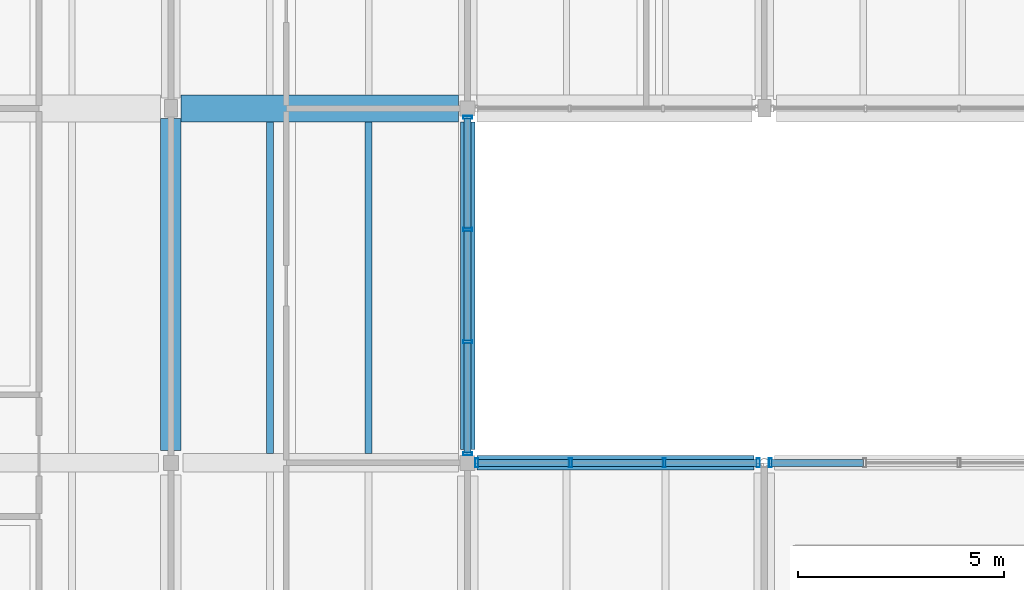
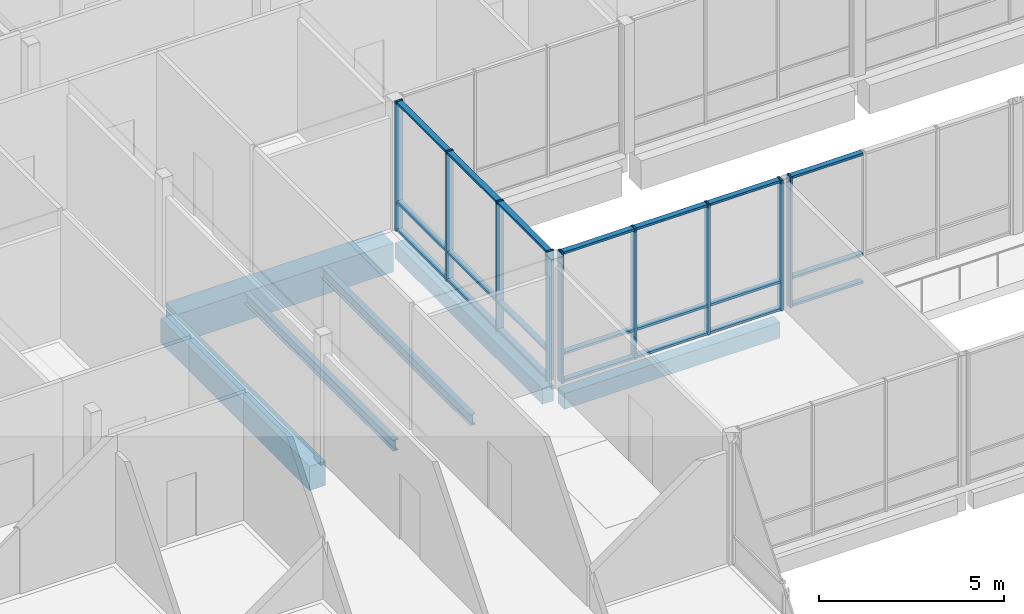
# One storey, part 40 of 146: 30 members, 6 beams, 3 elements without a shape of their own.
"""IFC4 building model written with IfcOpenShell, lengths in metres."""

from ifc_helpers import new_model, si_unit, direction, frame, origin, origin_2d, place, context, subcontext, project, spatial, rectangle, hollow_rectangle, i_section, extrude, material, material_profile, profile_set, type_object, element, aggregate, save


model = new_model("IFC4")

# Units and contexts
model_context = context("Model", 3, precision=1e-05, world=origin(), true_north=direction((0.0, 1.0)))
body_context = subcontext(model_context, "Body", "Model", "MODEL_VIEW")
ifc_project = project(units=[si_unit("LENGTHUNIT", "METRE"), si_unit("AREAUNIT", "SQUARE_METRE"), si_unit("VOLUMEUNIT", "CUBIC_METRE"), si_unit("PLANEANGLEUNIT", "RADIAN"), si_unit("MASSUNIT", "GRAM", prefix="KILO")], contexts=[model_context])

# Site, building, storey
site_placement = place(None, origin())
site = spatial("IfcSite", under=ifc_project, at=site_placement, CompositionType="ELEMENT")
building_placement = place(site_placement, origin())
building = spatial("IfcBuilding", under=site, at=building_placement, Name="Hawrajan Terrace Health Centre", CompositionType="ELEMENT")
storey_placement = place(building_placement, frame((0.0, 0.0, 4.5)))
storey = spatial("IfcBuildingStorey", under=building, at=storey_placement, Name="L01", CompositionType="ELEMENT", Elevation=4.5)

# Curtain wall, members
ifc_material_1 = material(Name="Anodized bronze aluminium and low-E solar glazing", Category="aluminium")
curtain_wall_type_1 = type_object("IfcCurtainWallType", Name="CW_CourtNS_SeriesC2", PredefinedType="USERDEFINED", material=ifc_material_1)
curtain_wall_1_placement = place(storey_placement, origin())
curtain_wall_1 = element("IfcCurtainWall", 1, at=curtain_wall_1_placement, inside=storey, type_object=curtain_wall_type_1, Name="Curtain wall CW-L01-056", ObjectType="UNITISED CURTAIN WALL", PredefinedType="USERDEFINED")
ifc_material_2 = material(Name="Anodized bronze aluminium 6063-T6", Category="aluminium")
ifc_material_profile_1 = material_profile(ifc_material_2, hollow_rectangle(XDim=0.074951171875, YDim=0.219970703125, WallThickness=0.0048828125, at=origin_2d()), Name="CW MUL 75x220")
ifc_profile_set_1 = profile_set([ifc_material_profile_1], Name="Anodized bronze aluminium 6063-T6")
member_type_1 = type_object("IfcMemberType", Name="CWMullion_75x220", PredefinedType="MULLION", material=ifc_profile_set_1)
member_1_placement = place(storey_placement, frame((26.199951171875, 37.017578125, -0.0048828125), z_axis=(0.0, 0.0, 1.0), x_axis=(0.0, 1.0, 0.0)))
member_1 = element("IfcMember", 2, at=member_1_placement, type_object=member_type_1, Name="Mullion CW-L01-056-M1", PredefinedType="MULLION", context=body_context, shape_type="SweptSolid", body=[
    extrude(hollow_rectangle(XDim=0.074951171875, YDim=0.219970703125, WallThickness=0.0048828125, at=origin_2d()), origin(), (0.0, 0.0, 1.0), 4.269775390625),
])
member_2_placement = place(storey_placement, frame((26.199951171875, 39.7392578125, -0.0048828125), z_axis=(0.0, 0.0, 1.0), x_axis=(0.0, 1.0, 0.0)))
member_2 = element("IfcMember", 3, at=member_2_placement, type_object=member_type_1, Name="Mullion CW-L01-056-M2", PredefinedType="MULLION", context=body_context, shape_type="SweptSolid", body=[
    extrude(hollow_rectangle(XDim=0.074951171875, YDim=0.219970703125, WallThickness=0.0048828125, at=origin_2d()), origin(), (0.0, 0.0, 1.0), 4.269775390625),
])
member_3_placement = place(storey_placement, frame((26.199951171875, 42.460693359375, -0.0048828125), z_axis=(0.0, 0.0, 1.0), x_axis=(0.0, 1.0, 0.0)))
member_3 = element("IfcMember", 4, at=member_3_placement, type_object=member_type_1, Name="Mullion CW-L01-056-M3", PredefinedType="MULLION", context=body_context, shape_type="SweptSolid", body=[
    extrude(hollow_rectangle(XDim=0.074951171875, YDim=0.219970703125, WallThickness=0.0048828125, at=origin_2d()), origin(), (0.0, 0.0, 1.0), 4.269775390625),
])
member_4_placement = place(storey_placement, frame((26.199951171875, 45.1826171875, -0.0048828125), z_axis=(0.0, 0.0, 1.0), x_axis=(0.0, 1.0, 0.0)))
member_4 = element("IfcMember", 5, at=member_4_placement, type_object=member_type_1, Name="Mullion CW-L01-056-M4", PredefinedType="MULLION", context=body_context, shape_type="SweptSolid", body=[
    extrude(hollow_rectangle(XDim=0.074951171875, YDim=0.219970703125, WallThickness=0.0048828125, at=origin_2d()), origin(), (0.0, 0.0, 1.0), 4.269775390625),
])

curtain_wall_type_2 = type_object("IfcCurtainWallType", Name="CW_Hall_SeriesD2", PredefinedType="USERDEFINED", material=ifc_material_1)
curtain_wall_2_placement = place(storey_placement, origin())
curtain_wall_2 = element("IfcCurtainWall", 6, at=curtain_wall_2_placement, inside=storey, type_object=curtain_wall_type_2, Name="Curtain wall CW-L01-059", ObjectType="UNITISED CURTAIN WALL", PredefinedType="USERDEFINED")
member_5_placement = place(storey_placement, frame((26.41748046875, 36.800048828125, -0.0048828125), z_axis=(0.0, 0.0, 1.0), x_axis=(1.0, 0.0, 0.0)))
member_5 = element("IfcMember", 7, at=member_5_placement, type_object=member_type_1, Name="Mullion CW-L01-059-M1", PredefinedType="MULLION", context=body_context, shape_type="SweptSolid", body=[
    extrude(hollow_rectangle(XDim=0.074951171875, YDim=0.219970703125, WallThickness=0.0048828125, at=origin_2d()), origin(), (0.0, 0.0, 1.0), 4.309814453125),
])
member_6_placement = place(storey_placement, frame((28.696044921875, 36.800048828125, -0.0048828125), z_axis=(0.0, 0.0, 1.0), x_axis=(1.0, 0.0, 0.0)))
member_6 = element("IfcMember", 8, at=member_6_placement, type_object=member_type_1, Name="Mullion CW-L01-059-M2", PredefinedType="MULLION", context=body_context, shape_type="SweptSolid", body=[
    extrude(hollow_rectangle(XDim=0.074951171875, YDim=0.219970703125, WallThickness=0.0048828125, at=origin_2d()), origin(), (0.0, 0.0, 1.0), 4.309814453125),
])
member_7_placement = place(storey_placement, frame((30.974365234375, 36.800048828125, -0.0048828125), z_axis=(0.0, 0.0, 1.0), x_axis=(1.0, 0.0, 0.0)))
member_7 = element("IfcMember", 9, at=member_7_placement, type_object=member_type_1, Name="Mullion CW-L01-059-M3", PredefinedType="MULLION", context=body_context, shape_type="SweptSolid", body=[
    extrude(hollow_rectangle(XDim=0.074951171875, YDim=0.219970703125, WallThickness=0.0048828125, at=origin_2d()), origin(), (0.0, 0.0, 1.0), 4.309814453125),
])
member_8_placement = place(storey_placement, frame((33.2529296875, 36.800048828125, -0.0048828125), z_axis=(0.0, 0.0, 1.0), x_axis=(1.0, 0.0, 0.0)))
member_8 = element("IfcMember", 10, at=member_8_placement, type_object=member_type_1, Name="Mullion CW-L01-059-M4", PredefinedType="MULLION", context=body_context, shape_type="SweptSolid", body=[
    extrude(hollow_rectangle(XDim=0.074951171875, YDim=0.219970703125, WallThickness=0.0048828125, at=origin_2d()), origin(), (0.0, 0.0, 1.0), 4.309814453125),
])

# Curtain wall, member
curtain_wall_type_3 = type_object("IfcCurtainWallType", Name="CW_Clerestory_SeriesG2", PredefinedType="USERDEFINED", material=ifc_material_1)
curtain_wall_3_placement = place(storey_placement, origin())
curtain_wall_3 = element("IfcCurtainWall", 11, at=curtain_wall_3_placement, inside=storey, type_object=curtain_wall_type_3, Name="Curtain wall CW-L01-065", ObjectType="UNITISED CURTAIN WALL", PredefinedType="USERDEFINED")
member_9_placement = place(storey_placement, frame((33.547119140625, 36.800048828125, -0.0048828125), z_axis=(0.0, 0.0, 1.0), x_axis=(1.0, 0.0, 0.0)))
member_9 = element("IfcMember", 12, at=member_9_placement, type_object=member_type_1, Name="Mullion CW-L01-065-M1", PredefinedType="MULLION", context=body_context, shape_type="SweptSolid", body=[
    extrude(hollow_rectangle(XDim=0.074951171875, YDim=0.219970703125, WallThickness=0.0048828125, at=origin_2d()), origin(), (0.0, 0.0, 1.0), 4.309814453125),
])

# Member
ifc_material_profile_2 = material_profile(ifc_material_2, hollow_rectangle(XDim=0.074951171875, YDim=0.169921875, WallThickness=0.00439453125, at=origin_2d()), Name="CW TRN 75x170")
ifc_profile_set_2 = profile_set([ifc_material_profile_2], Name="Anodized bronze aluminium 6063-T6")
member_type_2 = type_object("IfcMemberType", Name="CWTransom_75x170", PredefinedType="USERDEFINED", material=ifc_profile_set_2)
member_10_placement = place(storey_placement, frame((26.199951171875, 37.049072265625, 0.03759765625), z_axis=(0.0, 1.0, 0.0), x_axis=(0.0, 0.0, 1.0)))
member_10 = element("IfcMember", 13, at=member_10_placement, type_object=member_type_2, Name="Transom CW-L01-056-T1-1", ObjectType="TRANSOM", PredefinedType="USERDEFINED", context=body_context, shape_type="SweptSolid", body=[
    extrude(hollow_rectangle(XDim=0.074951171875, YDim=0.169921875, WallThickness=0.00439453125, at=origin_2d()), origin(), (0.0, 0.0, 1.0), 2.65869140625),
])

member_11_placement = place(storey_placement, frame((26.199951171875, 37.049072265625, 0.949951171875), z_axis=(0.0, 1.0, 0.0), x_axis=(0.0, 0.0, 1.0)))
member_11 = element("IfcMember", 14, at=member_11_placement, type_object=member_type_2, Name="Transom CW-L01-056-T1-2", ObjectType="TRANSOM", PredefinedType="USERDEFINED", context=body_context, shape_type="SweptSolid", body=[
    extrude(hollow_rectangle(XDim=0.074951171875, YDim=0.169921875, WallThickness=0.00439453125, at=origin_2d()), origin(), (0.0, 0.0, 1.0), 2.65869140625),
])

member_12_placement = place(storey_placement, frame((26.199951171875, 37.049072265625, 4.222412109375), z_axis=(0.0, 1.0, 0.0), x_axis=(0.0, 0.0, 1.0)))
member_12 = element("IfcMember", 15, at=member_12_placement, type_object=member_type_2, Name="Transom CW-L01-056-T1-3", ObjectType="TRANSOM", PredefinedType="USERDEFINED", context=body_context, shape_type="SweptSolid", body=[
    extrude(hollow_rectangle(XDim=0.074951171875, YDim=0.169921875, WallThickness=0.00439453125, at=origin_2d()), origin(), (0.0, 0.0, 1.0), 2.65869140625),
])

member_13_placement = place(storey_placement, frame((26.199951171875, 39.770751953125, 0.03759765625), z_axis=(0.0, 1.0, 0.0), x_axis=(0.0, 0.0, 1.0)))
member_13 = element("IfcMember", 16, at=member_13_placement, type_object=member_type_2, Name="Transom CW-L01-056-T2-1", ObjectType="TRANSOM", PredefinedType="USERDEFINED", context=body_context, shape_type="SweptSolid", body=[
    extrude(hollow_rectangle(XDim=0.074951171875, YDim=0.169921875, WallThickness=0.00439453125, at=origin_2d()), origin(), (0.0, 0.0, 1.0), 2.658447265625),
])

member_14_placement = place(storey_placement, frame((26.199951171875, 39.770751953125, 0.949951171875), z_axis=(0.0, 1.0, 0.0), x_axis=(0.0, 0.0, 1.0)))
member_14 = element("IfcMember", 17, at=member_14_placement, type_object=member_type_2, Name="Transom CW-L01-056-T2-2", ObjectType="TRANSOM", PredefinedType="USERDEFINED", context=body_context, shape_type="SweptSolid", body=[
    extrude(hollow_rectangle(XDim=0.074951171875, YDim=0.169921875, WallThickness=0.00439453125, at=origin_2d()), origin(), (0.0, 0.0, 1.0), 2.658447265625),
])

member_15_placement = place(storey_placement, frame((26.199951171875, 39.770751953125, 4.222412109375), z_axis=(0.0, 1.0, 0.0), x_axis=(0.0, 0.0, 1.0)))
member_15 = element("IfcMember", 18, at=member_15_placement, type_object=member_type_2, Name="Transom CW-L01-056-T2-3", ObjectType="TRANSOM", PredefinedType="USERDEFINED", context=body_context, shape_type="SweptSolid", body=[
    extrude(hollow_rectangle(XDim=0.074951171875, YDim=0.169921875, WallThickness=0.00439453125, at=origin_2d()), origin(), (0.0, 0.0, 1.0), 2.658447265625),
])

member_16_placement = place(storey_placement, frame((26.199951171875, 42.4921875, 0.03759765625), z_axis=(0.0, 1.0, 0.0), x_axis=(0.0, 0.0, 1.0)))
member_16 = element("IfcMember", 19, at=member_16_placement, type_object=member_type_2, Name="Transom CW-L01-056-T3-1", ObjectType="TRANSOM", PredefinedType="USERDEFINED", context=body_context, shape_type="SweptSolid", body=[
    extrude(hollow_rectangle(XDim=0.074951171875, YDim=0.169921875, WallThickness=0.00439453125, at=origin_2d()), origin(), (0.0, 0.0, 1.0), 2.65869140625),
])

member_17_placement = place(storey_placement, frame((26.199951171875, 42.4921875, 0.949951171875), z_axis=(0.0, 1.0, 0.0), x_axis=(0.0, 0.0, 1.0)))
member_17 = element("IfcMember", 20, at=member_17_placement, type_object=member_type_2, Name="Transom CW-L01-056-T3-2", ObjectType="TRANSOM", PredefinedType="USERDEFINED", context=body_context, shape_type="SweptSolid", body=[
    extrude(hollow_rectangle(XDim=0.074951171875, YDim=0.169921875, WallThickness=0.00439453125, at=origin_2d()), origin(), (0.0, 0.0, 1.0), 2.65869140625),
])

member_18_placement = place(storey_placement, frame((26.199951171875, 42.4921875, 4.222412109375), z_axis=(0.0, 1.0, 0.0), x_axis=(0.0, 0.0, 1.0)))
member_18 = element("IfcMember", 21, at=member_18_placement, type_object=member_type_2, Name="Transom CW-L01-056-T3-3", ObjectType="TRANSOM", PredefinedType="USERDEFINED", context=body_context, shape_type="SweptSolid", body=[
    extrude(hollow_rectangle(XDim=0.074951171875, YDim=0.169921875, WallThickness=0.00439453125, at=origin_2d()), origin(), (0.0, 0.0, 1.0), 2.65869140625),
])

aggregate(curtain_wall_1, [member_1, member_2, member_3, member_4, member_10, member_11, member_12, member_13, member_14, member_15, member_16, member_17, member_18])

member_19_placement = place(storey_placement, frame((26.448974609375, 36.800048828125, 0.03759765625), z_axis=(1.0, 0.0, 0.0), x_axis=(0.0, 0.0, 1.0)))
member_19 = element("IfcMember", 22, at=member_19_placement, type_object=member_type_2, Name="Transom CW-L01-059-T1-1", ObjectType="TRANSOM", PredefinedType="USERDEFINED", context=body_context, shape_type="SweptSolid", body=[
    extrude(hollow_rectangle(XDim=0.074951171875, YDim=0.169921875, WallThickness=0.00439453125, at=origin_2d()), origin(), (0.0, 0.0, 1.0), 2.215576171875),
])

member_20_placement = place(storey_placement, frame((26.448974609375, 36.800048828125, 0.949951171875), z_axis=(1.0, 0.0, 0.0), x_axis=(0.0, 0.0, 1.0)))
member_20 = element("IfcMember", 23, at=member_20_placement, type_object=member_type_2, Name="Transom CW-L01-059-T1-2", ObjectType="TRANSOM", PredefinedType="USERDEFINED", context=body_context, shape_type="SweptSolid", body=[
    extrude(hollow_rectangle(XDim=0.074951171875, YDim=0.169921875, WallThickness=0.00439453125, at=origin_2d()), origin(), (0.0, 0.0, 1.0), 2.215576171875),
])

member_21_placement = place(storey_placement, frame((26.448974609375, 36.800048828125, 4.262451171875), z_axis=(1.0, 0.0, 0.0), x_axis=(0.0, 0.0, 1.0)))
member_21 = element("IfcMember", 24, at=member_21_placement, type_object=member_type_2, Name="Transom CW-L01-059-T1-3", ObjectType="TRANSOM", PredefinedType="USERDEFINED", context=body_context, shape_type="SweptSolid", body=[
    extrude(hollow_rectangle(XDim=0.074951171875, YDim=0.169921875, WallThickness=0.00439453125, at=origin_2d()), origin(), (0.0, 0.0, 1.0), 2.215576171875),
])

member_22_placement = place(storey_placement, frame((28.7275390625, 36.800048828125, 0.03759765625), z_axis=(1.0, 0.0, 0.0), x_axis=(0.0, 0.0, 1.0)))
member_22 = element("IfcMember", 25, at=member_22_placement, type_object=member_type_2, Name="Transom CW-L01-059-T2-1", ObjectType="TRANSOM", PredefinedType="USERDEFINED", context=body_context, shape_type="SweptSolid", body=[
    extrude(hollow_rectangle(XDim=0.074951171875, YDim=0.169921875, WallThickness=0.00439453125, at=origin_2d()), origin(), (0.0, 0.0, 1.0), 2.21533203125),
])

member_23_placement = place(storey_placement, frame((28.7275390625, 36.800048828125, 0.949951171875), z_axis=(1.0, 0.0, 0.0), x_axis=(0.0, 0.0, 1.0)))
member_23 = element("IfcMember", 26, at=member_23_placement, type_object=member_type_2, Name="Transom CW-L01-059-T2-2", ObjectType="TRANSOM", PredefinedType="USERDEFINED", context=body_context, shape_type="SweptSolid", body=[
    extrude(hollow_rectangle(XDim=0.074951171875, YDim=0.169921875, WallThickness=0.00439453125, at=origin_2d()), origin(), (0.0, 0.0, 1.0), 2.21533203125),
])

member_24_placement = place(storey_placement, frame((28.7275390625, 36.800048828125, 4.262451171875), z_axis=(1.0, 0.0, 0.0), x_axis=(0.0, 0.0, 1.0)))
member_24 = element("IfcMember", 27, at=member_24_placement, type_object=member_type_2, Name="Transom CW-L01-059-T2-3", ObjectType="TRANSOM", PredefinedType="USERDEFINED", context=body_context, shape_type="SweptSolid", body=[
    extrude(hollow_rectangle(XDim=0.074951171875, YDim=0.169921875, WallThickness=0.00439453125, at=origin_2d()), origin(), (0.0, 0.0, 1.0), 2.21533203125),
])

member_25_placement = place(storey_placement, frame((31.005859375, 36.800048828125, 0.03759765625), z_axis=(1.0, 0.0, 0.0), x_axis=(0.0, 0.0, 1.0)))
member_25 = element("IfcMember", 28, at=member_25_placement, type_object=member_type_2, Name="Transom CW-L01-059-T3-1", ObjectType="TRANSOM", PredefinedType="USERDEFINED", context=body_context, shape_type="SweptSolid", body=[
    extrude(hollow_rectangle(XDim=0.074951171875, YDim=0.169921875, WallThickness=0.00439453125, at=origin_2d()), origin(), (0.0, 0.0, 1.0), 2.215576171875),
])

member_26_placement = place(storey_placement, frame((31.005859375, 36.800048828125, 0.949951171875), z_axis=(1.0, 0.0, 0.0), x_axis=(0.0, 0.0, 1.0)))
member_26 = element("IfcMember", 29, at=member_26_placement, type_object=member_type_2, Name="Transom CW-L01-059-T3-2", ObjectType="TRANSOM", PredefinedType="USERDEFINED", context=body_context, shape_type="SweptSolid", body=[
    extrude(hollow_rectangle(XDim=0.074951171875, YDim=0.169921875, WallThickness=0.00439453125, at=origin_2d()), origin(), (0.0, 0.0, 1.0), 2.215576171875),
])

member_27_placement = place(storey_placement, frame((31.005859375, 36.800048828125, 4.262451171875), z_axis=(1.0, 0.0, 0.0), x_axis=(0.0, 0.0, 1.0)))
member_27 = element("IfcMember", 30, at=member_27_placement, type_object=member_type_2, Name="Transom CW-L01-059-T3-3", ObjectType="TRANSOM", PredefinedType="USERDEFINED", context=body_context, shape_type="SweptSolid", body=[
    extrude(hollow_rectangle(XDim=0.074951171875, YDim=0.169921875, WallThickness=0.00439453125, at=origin_2d()), origin(), (0.0, 0.0, 1.0), 2.215576171875),
])

aggregate(curtain_wall_2, [member_5, member_6, member_7, member_8, member_19, member_20, member_21, member_22, member_23, member_24, member_25, member_26, member_27])

member_28_placement = place(storey_placement, frame((33.57861328125, 36.800048828125, 0.03759765625), z_axis=(1.0, 0.0, 0.0), x_axis=(0.0, 0.0, 1.0)))
member_28 = element("IfcMember", 31, at=member_28_placement, type_object=member_type_2, Name="Transom CW-L01-065-T1-1", ObjectType="TRANSOM", PredefinedType="USERDEFINED", context=body_context, shape_type="SweptSolid", body=[
    extrude(hollow_rectangle(XDim=0.074951171875, YDim=0.169921875, WallThickness=0.00439453125, at=origin_2d()), origin(), (0.0, 0.0, 1.0), 2.225341796875),
])

member_29_placement = place(storey_placement, frame((33.57861328125, 36.800048828125, 0.949951171875), z_axis=(1.0, 0.0, 0.0), x_axis=(0.0, 0.0, 1.0)))
member_29 = element("IfcMember", 32, at=member_29_placement, type_object=member_type_2, Name="Transom CW-L01-065-T1-2", ObjectType="TRANSOM", PredefinedType="USERDEFINED", context=body_context, shape_type="SweptSolid", body=[
    extrude(hollow_rectangle(XDim=0.074951171875, YDim=0.169921875, WallThickness=0.00439453125, at=origin_2d()), origin(), (0.0, 0.0, 1.0), 2.225341796875),
])

member_30_placement = place(storey_placement, frame((33.57861328125, 36.800048828125, 4.262451171875), z_axis=(1.0, 0.0, 0.0), x_axis=(0.0, 0.0, 1.0)))
member_30 = element("IfcMember", 33, at=member_30_placement, type_object=member_type_2, Name="Transom CW-L01-065-T1-3", ObjectType="TRANSOM", PredefinedType="USERDEFINED", context=body_context, shape_type="SweptSolid", body=[
    extrude(hollow_rectangle(XDim=0.074951171875, YDim=0.169921875, WallThickness=0.00439453125, at=origin_2d()), origin(), (0.0, 0.0, 1.0), 2.225341796875),
])

aggregate(curtain_wall_3, [member_9, member_28, member_29, member_30])

# Beams
ifc_material_3 = material(Name="Concrete C40/50", Category="concrete")
ifc_material_profile_3 = material_profile(ifc_material_3, rectangle(XDim=0.5, YDim=0.800048828125, at=origin_2d()), Name="RC BM 500x800")
ifc_profile_set_3 = profile_set([ifc_material_profile_3], Name="Concrete C40/50")
beam_type_1 = type_object("IfcBeamType", Name="RCGirder_500x800", PredefinedType="BEAM", material=ifc_profile_set_3)
beam_1_placement = place(storey_placement, frame((19.0, 37.10009765625, -0.699951171875), z_axis=(0.0, 1.0, 0.0), x_axis=(-1.0, 0.0, 0.0)))
element("IfcBeam", 34, at=beam_1_placement, inside=storey, type_object=beam_type_1, Name="Beam BM-Y-L01-W-X03-5", PredefinedType="BEAM", context=body_context, shape_type="SweptSolid", body=[
    extrude(rectangle(XDim=0.5, YDim=0.800048828125, at=origin_2d()), origin(), (0.0, 0.0, 1.0), 8.0498046875),
])
ifc_material_profile_4 = material_profile(ifc_material_3, rectangle(XDim=0.35009765625, YDim=0.52001953125, at=origin_2d()), Name="RC SP 350x520")
ifc_profile_set_4 = profile_set([ifc_material_profile_4], Name="Concrete C40/50")
beam_type_2 = type_object("IfcBeamType", Name="RCSpandrel_350x520", PredefinedType="SPANDREL", material=ifc_profile_set_4)
beam_2_placement = place(storey_placement, frame((26.425048828125, 36.800048828125, -0.56005859375), z_axis=(1.0, 0.0, 0.0), x_axis=(0.0, 1.0, 0.0)))
element("IfcBeam", 35, at=beam_2_placement, inside=storey, type_object=beam_type_2, Name="Beam BM-X-L01-W-04-Y5", PredefinedType="SPANDREL", context=body_context, shape_type="SweptSolid", body=[
    extrude(rectangle(XDim=0.35009765625, YDim=0.52001953125, at=origin_2d()), origin(), (0.0, 0.0, 1.0), 6.724853515625),
])
beam_3_placement = place(storey_placement, frame((26.199951171875, 37.125, -0.56005859375), z_axis=(0.0, 1.0, 0.0), x_axis=(-1.0, 0.0, 0.0)))
element("IfcBeam", 36, at=beam_3_placement, inside=storey, type_object=beam_type_2, Name="Beam BM-Y-L01-W-X04-5", PredefinedType="SPANDREL", context=body_context, shape_type="SweptSolid", body=[
    extrude(rectangle(XDim=0.35009765625, YDim=0.52001953125, at=origin_2d()), origin(), (0.0, 0.0, 1.0), 7.949951171875),
])
ifc_material_profile_5 = material_profile(ifc_material_3, rectangle(XDim=0.64990234375, YDim=0.949951171875, at=origin_2d()), Name="RC TG 650x950")
ifc_profile_set_5 = profile_set([ifc_material_profile_5], Name="Concrete C40/50")
beam_type_3 = type_object("IfcBeamType", Name="RCTransferGirder_650x950", PredefinedType="BEAM", material=ifc_profile_set_5)
beam_4_placement = place(storey_placement, frame((19.25, 45.39990234375, -0.77490234375), z_axis=(1.0, 0.0, 0.0), x_axis=(0.0, 1.0, 0.0)))
element("IfcBeam", 37, at=beam_4_placement, inside=storey, type_object=beam_type_3, Name="Beam BM-X-L01-W-03-Y6", PredefinedType="BEAM", context=body_context, shape_type="SweptSolid", body=[
    extrude(rectangle(XDim=0.64990234375, YDim=0.949951171875, at=origin_2d()), origin(), (0.0, 0.0, 1.0), 6.72509765625),
])
ifc_material_4 = material(Name="Steel S355", Category="steel")
ifc_material_profile_6 = material_profile(ifc_material_4, i_section(OverallWidth=0.169921875, OverallDepth=0.360107421875, WebThickness=0.008056640625, FlangeThickness=0.0126953125, FilletRadius=0.01806640625, at=origin_2d()), Name="IPE 360")
ifc_profile_set_6 = profile_set([ifc_material_profile_6], Name="Steel S355")
beam_type_4 = type_object("IfcBeamType", Name="SteelBeam_IPE360", PredefinedType="BEAM", material=ifc_profile_set_6)
for number, where, z_axis, x_axis, name in (
    (38, (21.39990234375, 37.02490234375, -0.47998046875), (0.0, 1.0, 0.0), (-1.0, 0.0, 0.0), "Secondary joist JST-L01-W-03-5-1"),
    (39, (23.800048828125, 37.02490234375, -0.47998046875), (0.0, 1.0, 0.0), (-1.0, 0.0, 0.0), "Secondary joist JST-L01-W-03-5-2"),
):
    element("IfcBeam", number, at=place(storey_placement, frame(where, z_axis=z_axis, x_axis=x_axis)), inside=storey, type_object=beam_type_4, Name=name, PredefinedType="BEAM", context=body_context, shape_type="SweptSolid", body=[
        extrude(i_section(OverallWidth=0.169921875, OverallDepth=0.360107421875, WebThickness=0.008056640625, FlangeThickness=0.0126953125, FilletRadius=0.01806640625, at=origin_2d()), origin(), (0.0, 0.0, 1.0), 8.050048828125),
    ])

save(model, "model.ifc")
